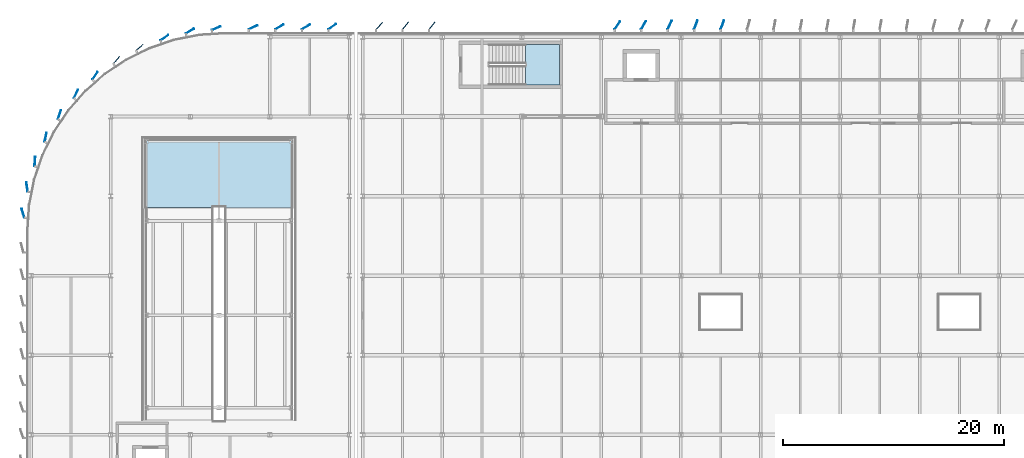
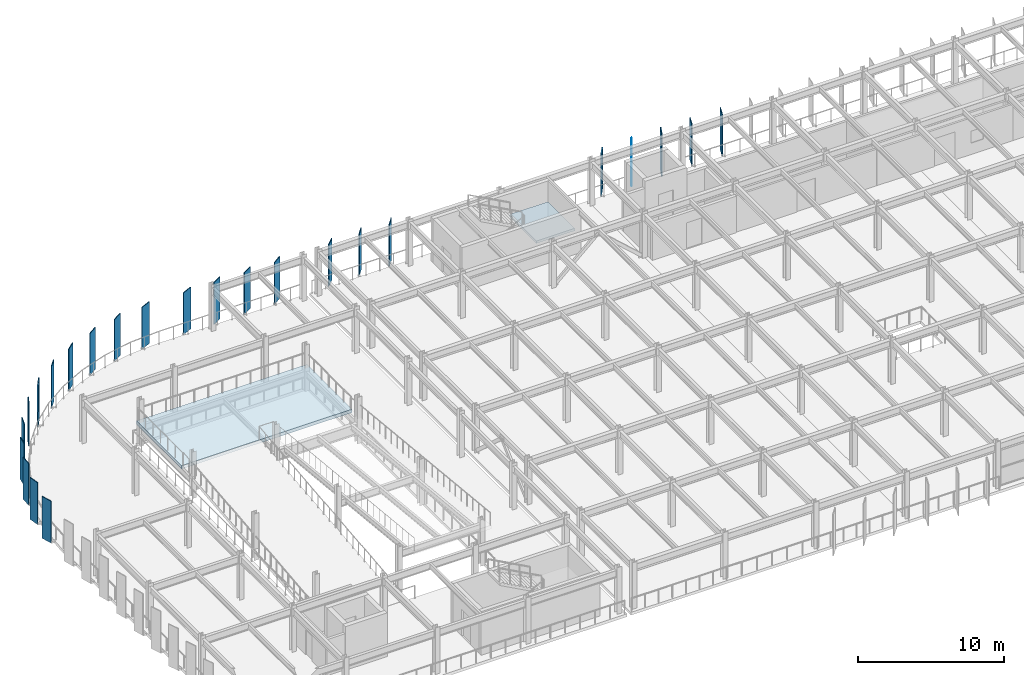
# One storey, part 40 of 80: 24 plates, 2 slabs, 1 element without a shape of its own.
"""IFC4 building model written with IfcOpenShell, lengths in metres."""

import ifcopenshell
import ifcopenshell.guid

model = None  # the IFC model being written
_history = None  # IfcOwnerHistory: only IFC2X3 demands one
_inside = {}  # id of a spatial element -> (the spatial element, [elements in it])
_under = {}  # id of a project, library or spatial element -> (it, [spatial elements below it])
_declared = {}  # id of a project -> (the project, [libraries it declares])
_typed = {}  # id of a type object -> (the type object, [elements of that type])
_made_of = {}  # id of a material, layer set ... -> (it, [elements and type objects made of it])


def new_model(schema):
    """Start an empty IFC model of exactly this schema.

    Asked for "IFC4X3", IfcOpenShell would pick the latest addendum, in which some entities
    have other attributes; the version numbers below select the first issue.
    IFC2X3 requires an IfcOwnerHistory on every rooted entity: one is made here for all.
    """
    global model, _history
    if schema == "IFC4X3":
        model = ifcopenshell.file(schema_version=(4, 3, 0, 0))
    else:
        model = ifcopenshell.file(schema=schema)
    _inside.clear()
    _under.clear()
    _declared.clear()
    _typed.clear()
    _made_of.clear()
    _history = None
    if model.schema == "IFC2X3":
        org = make("IfcOrganization", Name="unknown")
        user = make(
            "IfcPersonAndOrganization",
            ThePerson=make("IfcPerson", FamilyName="unknown"),
            TheOrganization=org,
        )
        app = make(
            "IfcApplication",
            ApplicationDeveloper=org,
            Version="unknown",
            ApplicationFullName="unknown",
            ApplicationIdentifier="unknown",
        )
        _history = make(
            "IfcOwnerHistory",
            OwningUser=user,
            OwningApplication=app,
            ChangeAction="ADDED",
            CreationDate=0,
        )
    return model


def make(cls, **values):
    """One entity of the class cls with the attributes given. An attribute that is None is left unset."""
    return model.create_entity(
        cls, **{name: value for name, value in values.items() if value is not None}
    )


def rooted(cls, **values):
    """An entity with a GlobalId (a new one), such as an element, a storey or a relation."""
    return make(cls, GlobalId=ifcopenshell.guid.new(), OwnerHistory=_history, **values)


def si_unit(unit_type, name, prefix=None):
    """IfcSIUnit, for example si_unit("LENGTHUNIT", "METRE", prefix="MILLI")."""
    return make("IfcSIUnit", UnitType=unit_type, Prefix=prefix, Name=name)


def assignment(units):
    """IfcUnitAssignment: the units of a project."""
    return None if units is None else make("IfcUnitAssignment", Units=units)


def point(xyz):
    """IfcCartesianPoint."""
    return None if xyz is None else make("IfcCartesianPoint", Coordinates=xyz)


def direction(xyz):
    """IfcDirection."""
    return None if xyz is None else make("IfcDirection", DirectionRatios=xyz)


def frame(location, z_axis=None, x_axis=None):
    """IfcAxis2Placement3D, a coordinate frame: its origin and axes. An axis left out is left unset."""
    return make(
        "IfcAxis2Placement3D",
        Location=point(location),
        Axis=direction(z_axis),
        RefDirection=direction(x_axis),
    )


def frame_2d(location, x_axis=None):
    """IfcAxis2Placement2D, a coordinate frame in the plane: its origin and x axis."""
    return make(
        "IfcAxis2Placement2D", Location=point(location), RefDirection=direction(x_axis)
    )


def origin():
    """The frame at (0, 0, 0) with its axes left unset."""
    return frame((0.0, 0.0, 0.0))


def origin_2d():
    """The frame at (0, 0) in the plane with its x axis left unset."""
    return frame_2d((0.0, 0.0))


def place(relative_to, where):
    """IfcLocalPlacement: puts the frame where relative to a parent placement (None: the world)."""
    return make(
        "IfcLocalPlacement", PlacementRelTo=relative_to, RelativePlacement=where
    )


def context(
    kind, dimensions, precision=None, world=None, true_north=None, identifier=None
):
    """IfcGeometricRepresentationContext, for example the 3D "Model" context."""
    return make(
        "IfcGeometricRepresentationContext",
        ContextIdentifier=identifier,
        ContextType=kind,
        CoordinateSpaceDimension=dimensions,
        Precision=precision,
        WorldCoordinateSystem=world,
        TrueNorth=true_north,
    )


def subcontext(parent, identifier, kind, view, scale=None):
    """IfcGeometricRepresentationSubContext, for example "Body" below "Model"."""
    return make(
        "IfcGeometricRepresentationSubContext",
        ContextIdentifier=identifier,
        ContextType=kind,
        ParentContext=parent,
        TargetScale=scale,
        TargetView=view,
    )


def project(units=None, contexts=None):
    """IfcProject with its units and contexts."""
    return rooted(
        "IfcProject",
        Name="project",
        RepresentationContexts=contexts,
        UnitsInContext=assignment(units),
    )


def spatial(cls, under=None, at=None, **own):
    """A site, building, storey or space (cls), placed at a placement, below another one or the project."""
    s = rooted(cls, ObjectPlacement=at, **own)
    if under is not None:
        _under.setdefault(under.id(), (under, []))[1].append(s)
    return s


def polyline(points):
    """IfcPolyline through the points."""
    return make("IfcPolyline", Points=[point(p) for p in points])


def profile(cls, at=None, kind="AREA", **sizes):
    """A parametric profile (cls). Its sizes go by their IFC names, for example OverallWidth=200.0."""
    return make(cls, ProfileType=kind, Position=at, **sizes)


def rectangle(**sizes):
    """IfcRectangleProfileDef."""
    return profile("IfcRectangleProfileDef", **sizes)


def outline(outer, holes=None, kind="AREA"):
    """IfcArbitraryClosedProfileDef: a profile drawn as a closed curve; with holes, ...WithVoids."""
    if holes is None:
        return make("IfcArbitraryClosedProfileDef", ProfileType=kind, OuterCurve=outer)
    return make(
        "IfcArbitraryProfileDefWithVoids",
        ProfileType=kind,
        OuterCurve=outer,
        InnerCurves=holes,
    )


def extrude(swept, where, along, depth):
    """IfcExtrudedAreaSolid: the profile swept, set in the frame where, extruded along a direction by depth."""
    return make(
        "IfcExtrudedAreaSolid",
        SweptArea=swept,
        Position=where,
        ExtrudedDirection=direction(along),
        Depth=depth,
    )


def shape(context_of_items, identifier, shape_type, items):
    """IfcShapeRepresentation: the items that make up one representation, for example the "Body"."""
    return make(
        "IfcShapeRepresentation",
        ContextOfItems=context_of_items,
        RepresentationIdentifier=identifier,
        RepresentationType=shape_type,
        Items=items,
    )


def material(Name=None, Category=None):
    """IfcMaterial."""
    return make("IfcMaterial", Name=Name, Category=Category)


def layer(
    of_material, thickness, ventilated=None, Name=None, Category=None, Priority=None
):
    """IfcMaterialLayer: one layer of a wall or slab, of a material (None: an air gap)."""
    return make(
        "IfcMaterialLayer",
        Material=of_material,
        LayerThickness=thickness,
        IsVentilated=ventilated,
        Name=Name,
        Category=Category,
        Priority=Priority,
    )


def layer_set(layers, Name=None):
    """IfcMaterialLayerSet."""
    return make("IfcMaterialLayerSet", MaterialLayers=layers, LayerSetName=Name)


def made_of(thing, what):
    """Note that an element or type object is made of a material, layer set ...; save() writes the relation."""
    if what is not None:
        _made_of.setdefault(what.id(), (what, []))[1].append(thing)
    return thing


def type_object(cls, material=None, **own):
    """A type object (cls), such as IfcWallType, which elements share."""
    return made_of(rooted(cls, **own), material)


def element(
    cls,
    number,
    at=None,
    inside=None,
    cuts=None,
    type_object=None,
    material=None,
    context=None,
    identifier="Body",
    shape_type=None,
    held_by="IfcProductDefinitionShape",
    body=None,
    shapes=None,
    **own,
):
    """One element of the class cls, such as IfcWall. Its Tag is "e" and its number.

    at: its placement. inside: the storey or other place that contains it. cuts: it is an
    opening in that element (IfcRelVoidsElement). A single representation is given by context,
    identifier, shape_type and body (its items); several are given by shapes. held_by: the class
    of the entity that holds the representations. save() writes the other relations.
    """
    e = rooted(cls, Tag="e%d" % number, ObjectPlacement=at, **own)
    if body is not None:
        shapes = [shape(context, identifier, shape_type, body)]
    if shapes is not None:
        e.Representation = make(held_by, Representations=shapes)
    if inside is not None:
        _inside.setdefault(inside.id(), (inside, []))[1].append(e)
    if cuts is not None:
        rooted(
            "IfcRelVoidsElement", RelatingBuildingElement=cuts, RelatedOpeningElement=e
        )
    if type_object is not None:
        _typed.setdefault(type_object.id(), (type_object, []))[1].append(e)
    return made_of(e, material)


def aggregate(whole, parts):
    """IfcRelAggregates: a whole, such as a stair, and the parts it consists of."""
    return rooted("IfcRelAggregates", RelatingObject=whole, RelatedObjects=parts)


def save(model, path):
    """Write the relations noted so far, then the file.

    IfcRelAggregates (storeys below a building ...), IfcRelContainedInSpatialStructure (elements
    in a storey), IfcRelDefinesByType, IfcRelAssociatesMaterial and IfcRelDeclares: one each for
    every whole, place, type object, material and project.
    """
    for whole, parts in _under.values():
        aggregate(whole, parts)
    for where, things in _inside.values():
        rooted(
            "IfcRelContainedInSpatialStructure",
            RelatedElements=things,
            RelatingStructure=where,
        )
    for kind, things in _typed.values():
        rooted("IfcRelDefinesByType", RelatedObjects=things, RelatingType=kind)
    for what, things in _made_of.values():
        rooted("IfcRelAssociatesMaterial", RelatedObjects=things, RelatingMaterial=what)
    for by, libraries in _declared.values():
        rooted("IfcRelDeclares", RelatingContext=by, RelatedDefinitions=libraries)
    model.write(path)


model = new_model("IFC4")

# Units and contexts
model_context = context("Model", 3, precision=1e-05, world=origin(), true_north=direction((0.0, 1.0)))
body_context = subcontext(model_context, "Body", "Model", "MODEL_VIEW")
ifc_project = project(units=[si_unit("LENGTHUNIT", "METRE"), si_unit("AREAUNIT", "SQUARE_METRE"), si_unit("VOLUMEUNIT", "CUBIC_METRE"), si_unit("PLANEANGLEUNIT", "RADIAN"), si_unit("MASSUNIT", "GRAM", prefix="KILO")], contexts=[model_context])

# Site, building, storey
site_placement = place(None, origin())
site = spatial("IfcSite", under=ifc_project, at=site_placement, CompositionType="ELEMENT")
building_placement = place(site_placement, origin())
building = spatial("IfcBuilding", under=site, at=building_placement, Name="Vaelcorin Mobility Hub", CompositionType="ELEMENT")
storey_placement = place(building_placement, frame((0.0, 0.0, 9.300048828125)))
storey = spatial("IfcBuildingStorey", under=building, at=storey_placement, Name="L02", CompositionType="ELEMENT", Elevation=9.300048828125)

# Plates
ifc_material_1 = material(Name="Perforated terracotta-bronze aluminium aerofoil", Category="masonry")
ifc_layer_1 = layer(ifc_material_1, 0.06005859375)
ifc_layer_set_1 = layer_set([ifc_layer_1], Name="Perforated terracotta-bronze aluminium aerofoil")
plate_type_1 = type_object("IfcPlateType", Name="PL-FIN-AF1", PredefinedType="SHEET", material=ifc_layer_set_1)
for number, where, z_axis, x_axis, name in (
    (1, (26.0849609375, 120.8701171875, -0.16015625), (0.0, 0.0, 1.0), (0.906307787037, 0.422618261741, 0.0), "Rotating Terracotta-Bronze Aerofoil Fin FIN-V2W-L02-N-AF-01"),
    (2, (28.468017578125, 120.902099609375, -0.16015625), (0.0, 0.0, 1.0), (0.866025403784, 0.5, 0.0), "Rotating Terracotta-Bronze Aerofoil Fin FIN-V2W-L02-N-AF-02"),
    (3, (30.867919921875, 120.902099609375, -0.16015625), (0.0, 0.0, 1.0), (0.866025403784, 0.5, 0.0), "Rotating Terracotta-Bronze Aerofoil Fin FIN-V2W-L02-N-AF-03"),
    (4, (33.248046875, 120.93408203125, -0.16015625), (0.0, 0.0, 1.0), (0.819152044289, 0.573576436351, 0.0), "Rotating Terracotta-Bronze Aerofoil Fin FIN-V2W-L02-N-AF-04"),
    (5, (22.7490234375, 120.783935546875, -0.16015625), (0.0, 0.0, 1.0), (0.915304449724, 0.402762664996, 0.0), "Rotating Terracotta-Bronze Aerofoil Fin FIN-V2W-L02-ARC-01"),
    (6, (20.363037109375, 120.52197265625, -0.16015625), (0.0, 0.0, 1.0), (0.855020503539, 0.51859419446, 0.0), "Rotating Terracotta-Bronze Aerofoil Fin FIN-V2W-L02-ARC-02"),
    (7, (18.052978515625, 119.922119140625, -0.16015625), (0.0, 0.0, 1.0), (0.831392031959, 0.555686322663, 0.0), "Rotating Terracotta-Bronze Aerofoil Fin FIN-V2W-L02-ARC-03"),
    (8, (15.819091796875, 119.054931640625, -0.16015625), (0.0, 0.0, 1.0), (0.751724718475, 0.659477025858, 0.0), "Rotating Terracotta-Bronze Aerofoil Fin FIN-V2W-L02-ARC-04"),
    (9, (13.718017578125, 117.903076171875, -0.16015625), (0.0, 0.0, 1.0), (0.659424543965, 0.751770756824, 0.0), "Rotating Terracotta-Bronze Aerofoil Fin FIN-V2W-L02-ARC-05"),
    (10, (11.784912109375, 116.488037109375, -0.16015625), (0.0, 0.0, 1.0), (0.555642790316, 0.831421126488, 0.0), "Rotating Terracotta-Bronze Aerofoil Fin FIN-V2W-L02-ARC-06"),
    (11, (10.052978515625, 114.83203125, -0.16015625), (0.0, 0.0, 1.0), (0.442210421623, 0.896911335087, 0.0), "Rotating Terracotta-Bronze Aerofoil Fin FIN-V2W-L02-ARC-07"),
    (12, (8.552978515625, 112.965087890625, -0.16015625), (0.0, 0.0, 1.0), (0.32134030125, 0.946963785365, 0.0), "Rotating Terracotta-Bronze Aerofoil Fin FIN-V2W-L02-ARC-08"),
    (13, (7.30908203125, 110.9169921875, -0.16015625), (0.0, 0.0, 1.0), (0.195261498368, 0.980751215781, 0.0), "Rotating Terracotta-Bronze Aerofoil Fin FIN-V2W-L02-ARC-09"),
    (14, (6.342041015625, 108.72509765625, -0.16015625), (0.0, 0.0, 1.0), (0.065542455982, 0.997849781512, 0.0), "Rotating Terracotta-Bronze Aerofoil Fin FIN-V2W-L02-ARC-10"),
    (15, (5.633056640625, 106.4208984375, -0.16015625), (0.0, 0.0, 1.0), (-0.152330384803, 0.988329628143, 0.0), "Rotating Terracotta-Bronze Aerofoil Fin FIN-V2W-L02-ARC-11"),
    (16, (5.26904296875, 104.048095703125, -0.16015625), (0.0, 0.0, 1.0), (-0.279812257957, 0.960054738177, 0.0), "Rotating Terracotta-Bronze Aerofoil Fin FIN-V2W-L02-ARC-12"),
):
    element("IfcPlate", number, at=place(storey_placement, frame(where, z_axis=z_axis, x_axis=x_axis)), inside=storey, type_object=plate_type_1, Name=name, PredefinedType="SHEET", context=body_context, shape_type="SweptSolid", body=[
        extrude(rectangle(XDim=0.85009765625, YDim=0.06005859375, at=origin_2d()), origin(), (0.0, 0.0, 1.0), 3.5),
    ])
ifc_layer_2 = layer(ifc_material_1, 0.06494140625)
ifc_layer_set_2 = layer_set([ifc_layer_2], Name="Perforated terracotta-bronze aluminium aerofoil")
plate_type_2 = type_object("IfcPlateType", Name="PL-FIN-AF2", PredefinedType="SHEET", material=ifc_layer_set_2)
for number, where, z_axis, x_axis, name in (
    (17, (37.5009765625, 120.990966796875, -0.16015625), (0.0, 0.0, 1.0), (0.707106781187, 0.707106781187, 0.0), "Rotating Terracotta-Bronze Aerofoil Fin FIN-V4-L02-N-01-AF-01"),
    (18, (39.873046875, 121.01611328125, -0.16015625), (0.0, 0.0, 1.0), (0.642787609687, 0.766044443119, 0.0), "Rotating Terracotta-Bronze Aerofoil Fin FIN-V4-L02-N-01-AF-02"),
    (19, (42.27294921875, 121.01611328125, -0.16015625), (0.0, 0.0, 1.0), (0.642787609687, 0.766044443119, 0.0), "Rotating Terracotta-Bronze Aerofoil Fin FIN-V4-L02-N-01-AF-03"),
    (20, (59.0439453125, 121.0380859375, -0.16015625), (0.0, 0.0, 1.0), (0.573576436351, 0.819152044289, 0.0), "Rotating Terracotta-Bronze Aerofoil Fin FIN-V4-L02-N-04-AF-01"),
    (21, (61.412109375, 121.05810546875, -0.16015625), (0.0, 0.0, 1.0), (0.5, 0.866025403784, 0.0), "Rotating Terracotta-Bronze Aerofoil Fin FIN-V4-L02-N-04-AF-02"),
    (22, (63.780029296875, 121.074951171875, -0.16015625), (0.0, 0.0, 1.0), (0.422618261741, 0.906307787037, 0.0), "Rotating Terracotta-Bronze Aerofoil Fin FIN-V4-L02-N-04-AF-03"),
    (23, (66.14501953125, 121.089111328125, -0.16015625), (0.0, 0.0, 1.0), (0.342020143326, 0.939692620786, 0.0), "Rotating Terracotta-Bronze Aerofoil Fin FIN-V4-L02-N-05-AF-01"),
    (24, (68.544921875, 121.089111328125, -0.16015625), (0.0, 0.0, 1.0), (0.342020143326, 0.939692620786, 0.0), "Rotating Terracotta-Bronze Aerofoil Fin FIN-V4-L02-N-05-AF-02"),
):
    element("IfcPlate", number, at=place(storey_placement, frame(where, z_axis=z_axis, x_axis=x_axis)), inside=storey, type_object=plate_type_2, Name=name, PredefinedType="SHEET", context=body_context, shape_type="SweptSolid", body=[
        extrude(rectangle(XDim=0.85009765625, YDim=0.06494140625, at=origin_2d()), origin(), (0.0, 0.0, 1.0), 3.5),
    ])

# Stair, slab
ifc_material_2 = material(Name="Reinforced concrete f'c 45 MPa", Category="concrete")
stair_type = type_object("IfcStairType", Name="STAIR-ST3", PredefinedType="HALF_TURN_STAIR", material=ifc_material_2)
stair_placement = place(storey_placement, origin())
stair = element("IfcStair", 25, at=stair_placement, inside=storey, type_object=stair_type, Name="L02 Protected Exit Stair ST3", PredefinedType="HALF_TURN_STAIR")
ifc_layer_3 = layer(ifc_material_2, 0.199951171875)
ifc_layer_set_3 = layer_set([ifc_layer_3], Name="Reinforced concrete f'c 45 MPa")
slab_type_1 = type_object("IfcSlabType", Name="SLAB-LND-200", PredefinedType="LANDING", material=ifc_layer_set_3)
slab_1_placement = place(storey_placement, frame((0.0, 0.0, 1.75)))
slab_1 = element("IfcSlab", 26, at=slab_1_placement, type_object=slab_type_1, Name="ST3 landing 1", PredefinedType="LANDING", context=body_context, shape_type="SweptSolid", body=[
    extrude(outline(polyline([(50.75, 115.64990234375), (53.800048828125, 115.64990234375), (53.800048828125, 119.330078125), (50.75, 119.330078125), (50.75, 115.64990234375)])), origin(), (0.0, 0.0, 1.0), 0.199951171875),
])
aggregate(stair, [slab_1])

# Slab
ifc_material_3 = material(Name="Concrete f'c 35 MPa", Category="concrete")
ifc_layer_4 = layer(ifc_material_3, 0.25)
ifc_layer_set_4 = layer_set([ifc_layer_4], Name="Concrete f'c 35 MPa")
slab_type_2 = type_object("IfcSlabType", Name="SLAB-RMP", PredefinedType="FLOOR", material=ifc_layer_set_4)
slab_2_placement = place(storey_placement, frame((0.0, 0.0, 1.669921875)))
element("IfcSlab", 27, at=slab_2_placement, inside=storey, type_object=slab_type_2, Name="Vehicle Ramp VR-1 L02 Half-Turn Landing", PredefinedType="LANDING", context=body_context, shape_type="SweptSolid", body=[
    extrude(outline(polyline([(16.25, 104.56005859375), (29.75, 104.56005859375), (29.75, 110.75), (16.25, 110.75), (16.25, 104.56005859375)])), origin(), (0.0, 0.0, 1.0), 0.280029296875),
])

save(model, "model.ifc")
